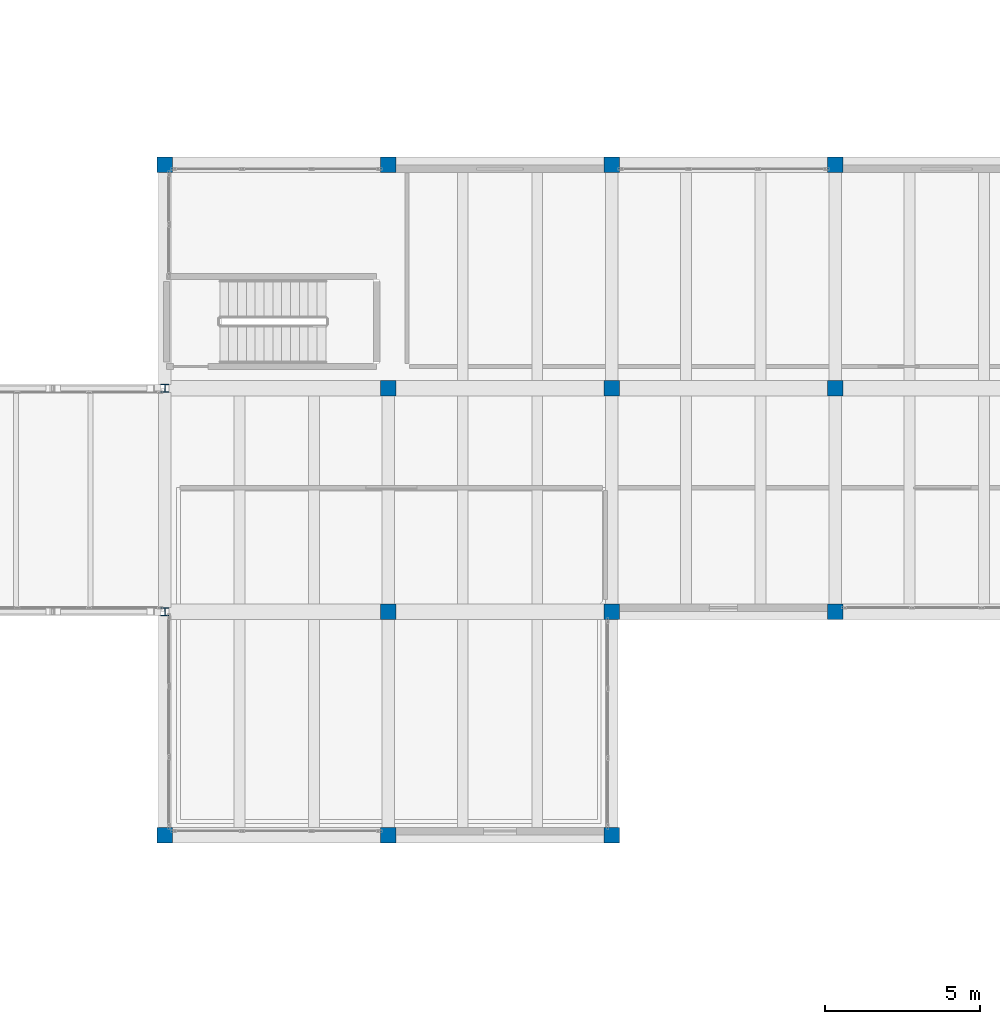
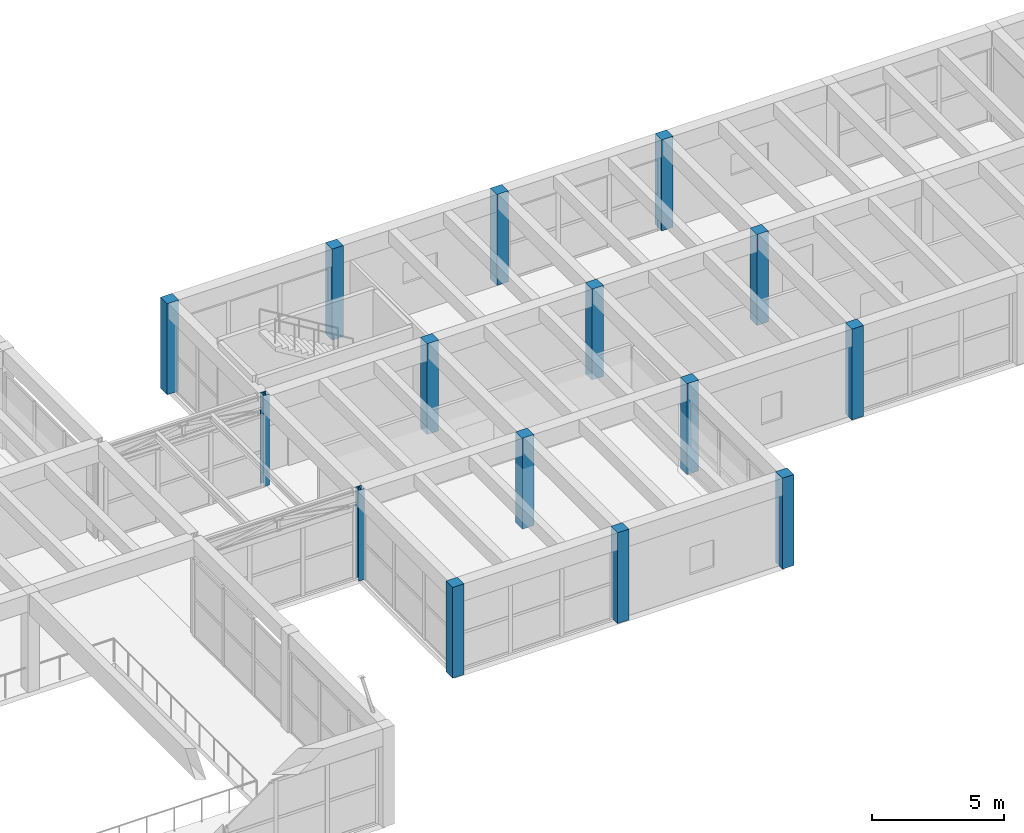
# One storey, part 5 of 153: 15 columns.
"""IFC4 building model written with IfcOpenShell, lengths in metres."""

import ifcopenshell
import ifcopenshell.guid

model = None  # the IFC model being written
_history = None  # IfcOwnerHistory: only IFC2X3 demands one
_inside = {}  # id of a spatial element -> (the spatial element, [elements in it])
_under = {}  # id of a project, library or spatial element -> (it, [spatial elements below it])
_declared = {}  # id of a project -> (the project, [libraries it declares])
_typed = {}  # id of a type object -> (the type object, [elements of that type])
_made_of = {}  # id of a material, layer set ... -> (it, [elements and type objects made of it])


def new_model(schema):
    """Start an empty IFC model of exactly this schema.

    Asked for "IFC4X3", IfcOpenShell would pick the latest addendum, in which some entities
    have other attributes; the version numbers below select the first issue.
    IFC2X3 requires an IfcOwnerHistory on every rooted entity: one is made here for all.
    """
    global model, _history
    if schema == "IFC4X3":
        model = ifcopenshell.file(schema_version=(4, 3, 0, 0))
    else:
        model = ifcopenshell.file(schema=schema)
    _inside.clear()
    _under.clear()
    _declared.clear()
    _typed.clear()
    _made_of.clear()
    _history = None
    if model.schema == "IFC2X3":
        org = make("IfcOrganization", Name="unknown")
        user = make(
            "IfcPersonAndOrganization",
            ThePerson=make("IfcPerson", FamilyName="unknown"),
            TheOrganization=org,
        )
        app = make(
            "IfcApplication",
            ApplicationDeveloper=org,
            Version="unknown",
            ApplicationFullName="unknown",
            ApplicationIdentifier="unknown",
        )
        _history = make(
            "IfcOwnerHistory",
            OwningUser=user,
            OwningApplication=app,
            ChangeAction="ADDED",
            CreationDate=0,
        )
    return model


def make(cls, **values):
    """One entity of the class cls with the attributes given. An attribute that is None is left unset."""
    return model.create_entity(
        cls, **{name: value for name, value in values.items() if value is not None}
    )


def rooted(cls, **values):
    """An entity with a GlobalId (a new one), such as an element, a storey or a relation."""
    return make(cls, GlobalId=ifcopenshell.guid.new(), OwnerHistory=_history, **values)


def si_unit(unit_type, name, prefix=None):
    """IfcSIUnit, for example si_unit("LENGTHUNIT", "METRE", prefix="MILLI")."""
    return make("IfcSIUnit", UnitType=unit_type, Prefix=prefix, Name=name)


def assignment(units):
    """IfcUnitAssignment: the units of a project."""
    return None if units is None else make("IfcUnitAssignment", Units=units)


def point(xyz):
    """IfcCartesianPoint."""
    return None if xyz is None else make("IfcCartesianPoint", Coordinates=xyz)


def direction(xyz):
    """IfcDirection."""
    return None if xyz is None else make("IfcDirection", DirectionRatios=xyz)


def frame(location, z_axis=None, x_axis=None):
    """IfcAxis2Placement3D, a coordinate frame: its origin and axes. An axis left out is left unset."""
    return make(
        "IfcAxis2Placement3D",
        Location=point(location),
        Axis=direction(z_axis),
        RefDirection=direction(x_axis),
    )


def frame_2d(location, x_axis=None):
    """IfcAxis2Placement2D, a coordinate frame in the plane: its origin and x axis."""
    return make(
        "IfcAxis2Placement2D", Location=point(location), RefDirection=direction(x_axis)
    )


def origin():
    """The frame at (0, 0, 0) with its axes left unset."""
    return frame((0.0, 0.0, 0.0))


def origin_2d():
    """The frame at (0, 0) in the plane with its x axis left unset."""
    return frame_2d((0.0, 0.0))


def place(relative_to, where):
    """IfcLocalPlacement: puts the frame where relative to a parent placement (None: the world)."""
    return make(
        "IfcLocalPlacement", PlacementRelTo=relative_to, RelativePlacement=where
    )


def context(
    kind, dimensions, precision=None, world=None, true_north=None, identifier=None
):
    """IfcGeometricRepresentationContext, for example the 3D "Model" context."""
    return make(
        "IfcGeometricRepresentationContext",
        ContextIdentifier=identifier,
        ContextType=kind,
        CoordinateSpaceDimension=dimensions,
        Precision=precision,
        WorldCoordinateSystem=world,
        TrueNorth=true_north,
    )


def subcontext(parent, identifier, kind, view, scale=None):
    """IfcGeometricRepresentationSubContext, for example "Body" below "Model"."""
    return make(
        "IfcGeometricRepresentationSubContext",
        ContextIdentifier=identifier,
        ContextType=kind,
        ParentContext=parent,
        TargetScale=scale,
        TargetView=view,
    )


def project(units=None, contexts=None):
    """IfcProject with its units and contexts."""
    return rooted(
        "IfcProject",
        Name="project",
        RepresentationContexts=contexts,
        UnitsInContext=assignment(units),
    )


def spatial(cls, under=None, at=None, **own):
    """A site, building, storey or space (cls), placed at a placement, below another one or the project."""
    s = rooted(cls, ObjectPlacement=at, **own)
    if under is not None:
        _under.setdefault(under.id(), (under, []))[1].append(s)
    return s


def profile(cls, at=None, kind="AREA", **sizes):
    """A parametric profile (cls). Its sizes go by their IFC names, for example OverallWidth=200.0."""
    return make(cls, ProfileType=kind, Position=at, **sizes)


def rectangle(**sizes):
    """IfcRectangleProfileDef."""
    return profile("IfcRectangleProfileDef", **sizes)


def i_section(**sizes):
    """IfcIShapeProfileDef."""
    return profile("IfcIShapeProfileDef", **sizes)


def extrude(swept, where, along, depth):
    """IfcExtrudedAreaSolid: the profile swept, set in the frame where, extruded along a direction by depth."""
    return make(
        "IfcExtrudedAreaSolid",
        SweptArea=swept,
        Position=where,
        ExtrudedDirection=direction(along),
        Depth=depth,
    )


def shape(context_of_items, identifier, shape_type, items):
    """IfcShapeRepresentation: the items that make up one representation, for example the "Body"."""
    return make(
        "IfcShapeRepresentation",
        ContextOfItems=context_of_items,
        RepresentationIdentifier=identifier,
        RepresentationType=shape_type,
        Items=items,
    )


def material(Name=None, Category=None):
    """IfcMaterial."""
    return make("IfcMaterial", Name=Name, Category=Category)


def material_profile(
    of_material, cross_section, Name=None, Category=None, Priority=None
):
    """IfcMaterialProfile: a cross section and its material."""
    return make(
        "IfcMaterialProfile",
        Name=Name,
        Material=of_material,
        Profile=cross_section,
        Priority=Priority,
        Category=Category,
    )


def profile_set(profiles, Name=None, composite=None):
    """IfcMaterialProfileSet."""
    return make(
        "IfcMaterialProfileSet",
        Name=Name,
        MaterialProfiles=profiles,
        CompositeProfile=composite,
    )


def made_of(thing, what):
    """Note that an element or type object is made of a material, layer set ...; save() writes the relation."""
    if what is not None:
        _made_of.setdefault(what.id(), (what, []))[1].append(thing)
    return thing


def type_object(cls, material=None, **own):
    """A type object (cls), such as IfcWallType, which elements share."""
    return made_of(rooted(cls, **own), material)


def element(
    cls,
    number,
    at=None,
    inside=None,
    cuts=None,
    type_object=None,
    material=None,
    context=None,
    identifier="Body",
    shape_type=None,
    held_by="IfcProductDefinitionShape",
    body=None,
    shapes=None,
    **own,
):
    """One element of the class cls, such as IfcWall. Its Tag is "e" and its number.

    at: its placement. inside: the storey or other place that contains it. cuts: it is an
    opening in that element (IfcRelVoidsElement). A single representation is given by context,
    identifier, shape_type and body (its items); several are given by shapes. held_by: the class
    of the entity that holds the representations. save() writes the other relations.
    """
    e = rooted(cls, Tag="e%d" % number, ObjectPlacement=at, **own)
    if body is not None:
        shapes = [shape(context, identifier, shape_type, body)]
    if shapes is not None:
        e.Representation = make(held_by, Representations=shapes)
    if inside is not None:
        _inside.setdefault(inside.id(), (inside, []))[1].append(e)
    if cuts is not None:
        rooted(
            "IfcRelVoidsElement", RelatingBuildingElement=cuts, RelatedOpeningElement=e
        )
    if type_object is not None:
        _typed.setdefault(type_object.id(), (type_object, []))[1].append(e)
    return made_of(e, material)


def aggregate(whole, parts):
    """IfcRelAggregates: a whole, such as a stair, and the parts it consists of."""
    return rooted("IfcRelAggregates", RelatingObject=whole, RelatedObjects=parts)


def save(model, path):
    """Write the relations noted so far, then the file.

    IfcRelAggregates (storeys below a building ...), IfcRelContainedInSpatialStructure (elements
    in a storey), IfcRelDefinesByType, IfcRelAssociatesMaterial and IfcRelDeclares: one each for
    every whole, place, type object, material and project.
    """
    for whole, parts in _under.values():
        aggregate(whole, parts)
    for where, things in _inside.values():
        rooted(
            "IfcRelContainedInSpatialStructure",
            RelatedElements=things,
            RelatingStructure=where,
        )
    for kind, things in _typed.values():
        rooted("IfcRelDefinesByType", RelatedObjects=things, RelatingType=kind)
    for what, things in _made_of.values():
        rooted("IfcRelAssociatesMaterial", RelatedObjects=things, RelatingMaterial=what)
    for by, libraries in _declared.values():
        rooted("IfcRelDeclares", RelatingContext=by, RelatedDefinitions=libraries)
    model.write(path)


model = new_model("IFC4")

# Units and contexts
model_context = context("Model", 3, precision=1e-05, world=origin(), true_north=direction((0.0, 1.0)))
body_context = subcontext(model_context, "Body", "Model", "MODEL_VIEW")
ifc_project = project(units=[si_unit("LENGTHUNIT", "METRE"), si_unit("AREAUNIT", "SQUARE_METRE"), si_unit("VOLUMEUNIT", "CUBIC_METRE"), si_unit("PLANEANGLEUNIT", "RADIAN"), si_unit("MASSUNIT", "GRAM", prefix="KILO")], contexts=[model_context])

# Site, building, storey
site_placement = place(None, origin())
site = spatial("IfcSite", under=ifc_project, at=site_placement, CompositionType="ELEMENT")
building_placement = place(site_placement, origin())
building = spatial("IfcBuilding", under=site, at=building_placement, Name="Bramvelor Terrace Health Centre", CompositionType="ELEMENT")
storey_placement = place(building_placement, frame((0.0, 0.0, 4.800048828125)))
storey = spatial("IfcBuildingStorey", under=building, at=storey_placement, Name="L02", CompositionType="ELEMENT", Elevation=4.800048828125)

# Columns
ifc_material_1 = material(Name="Concrete C40/50", Category="concrete")
ifc_material_profile_1 = material_profile(ifc_material_1, rectangle(XDim=0.5, YDim=0.5, at=origin_2d()), Name="RC 500x500")
ifc_profile_set_1 = profile_set([ifc_material_profile_1], Name="Concrete C40/50")
column_type_1 = type_object("IfcColumnType", Name="COL-RC-500", PredefinedType="COLUMN", material=ifc_profile_set_1)
for number, where, z_axis, x_axis, name in (
    (1, (100.800048828125, 43.199951171875, 0.0), (0.0, 0.0, 1.0), (1.0, 0.0, 0.0), "L02 Column (100.8, 43.2)"),
    (2, (100.800048828125, 64.800048828125, 0.0), (0.0, 0.0, 1.0), (1.0, 0.0, 0.0), "L02 Column (100.8, 64.8)"),
    (3, (108.0, 43.199951171875, 0.0), (0.0, 0.0, 1.0), (1.0, 0.0, 0.0), "L02 Column (108.0, 43.2)"),
    (4, (108.0, 50.39990234375, 0.0), (0.0, 0.0, 1.0), (1.0, 0.0, 0.0), "L02 Column (108.0, 50.4)"),
    (5, (108.0, 57.60009765625, 0.0), (0.0, 0.0, 1.0), (1.0, 0.0, 0.0), "L02 Column (108.0, 57.6)"),
    (6, (108.0, 64.800048828125, 0.0), (0.0, 0.0, 1.0), (1.0, 0.0, 0.0), "L02 Column (108.0, 64.8)"),
    (7, (115.199951171875, 43.199951171875, 0.0), (0.0, 0.0, 1.0), (1.0, 0.0, 0.0), "L02 Column (115.2, 43.2)"),
    (8, (115.199951171875, 50.39990234375, 0.0), (0.0, 0.0, 1.0), (1.0, 0.0, 0.0), "L02 Column (115.2, 50.4)"),
    (9, (115.199951171875, 57.60009765625, 0.0), (0.0, 0.0, 1.0), (1.0, 0.0, 0.0), "L02 Column (115.2, 57.6)"),
    (10, (115.199951171875, 64.800048828125, 0.0), (0.0, 0.0, 1.0), (1.0, 0.0, 0.0), "L02 Column (115.2, 64.8)"),
    (11, (122.39990234375, 50.39990234375, 0.0), (0.0, 0.0, 1.0), (1.0, 0.0, 0.0), "L02 Column (122.4, 50.4)"),
    (12, (122.39990234375, 57.60009765625, 0.0), (0.0, 0.0, 1.0), (1.0, 0.0, 0.0), "L02 Column (122.4, 57.6)"),
    (13, (122.39990234375, 64.800048828125, 0.0), (0.0, 0.0, 1.0), (1.0, 0.0, 0.0), "L02 Column (122.4, 64.8)"),
):
    element("IfcColumn", number, at=place(storey_placement, frame(where, z_axis=z_axis, x_axis=x_axis)), inside=storey, type_object=column_type_1, Name=name, PredefinedType="COLUMN", context=body_context, shape_type="SweptSolid", body=[
        extrude(rectangle(XDim=0.5, YDim=0.5, at=origin_2d()), origin(), (0.0, 0.0, 1.0), 4.199951171875),
    ])
ifc_material_2 = material(Name="Steel S355J2", Category="steel")
ifc_material_profile_2 = material_profile(ifc_material_2, i_section(OverallWidth=0.25634765625, OverallDepth=0.26025390625, WebThickness=0.01025390625, FlangeThickness=0.017333984375, FilletRadius=0.0126953125, at=origin_2d()), Name="UC 254x254x89")
ifc_profile_set_2 = profile_set([ifc_material_profile_2], Name="Steel S355J2")
column_type_2 = type_object("IfcColumnType", Name="COL-STL-UC254", PredefinedType="COLUMN", material=ifc_profile_set_2)
for number, where, z_axis, x_axis, name in (
    (14, (100.800048828125, 50.39990234375, 0.0), (0.0, 0.0, 1.0), (1.0, 0.0, 0.0), "L02 Column (100.8, 50.4)"),
    (15, (100.800048828125, 57.60009765625, 0.0), (0.0, 0.0, 1.0), (1.0, 0.0, 0.0), "L02 Column (100.8, 57.6)"),
):
    element("IfcColumn", number, at=place(storey_placement, frame(where, z_axis=z_axis, x_axis=x_axis)), inside=storey, type_object=column_type_2, Name=name, PredefinedType="COLUMN", context=body_context, shape_type="SweptSolid", body=[
        extrude(i_section(OverallWidth=0.25634765625, OverallDepth=0.26025390625, WebThickness=0.01025390625, FlangeThickness=0.017333984375, FilletRadius=0.0126953125, at=origin_2d()), origin(), (0.0, 0.0, 1.0), 4.199951171875),
    ])

save(model, "model.ifc")
